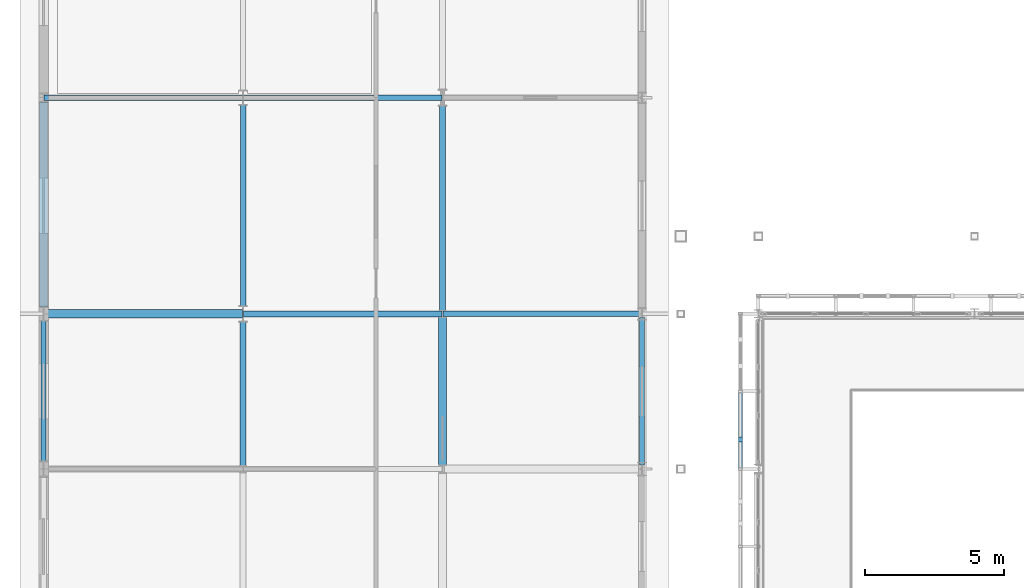
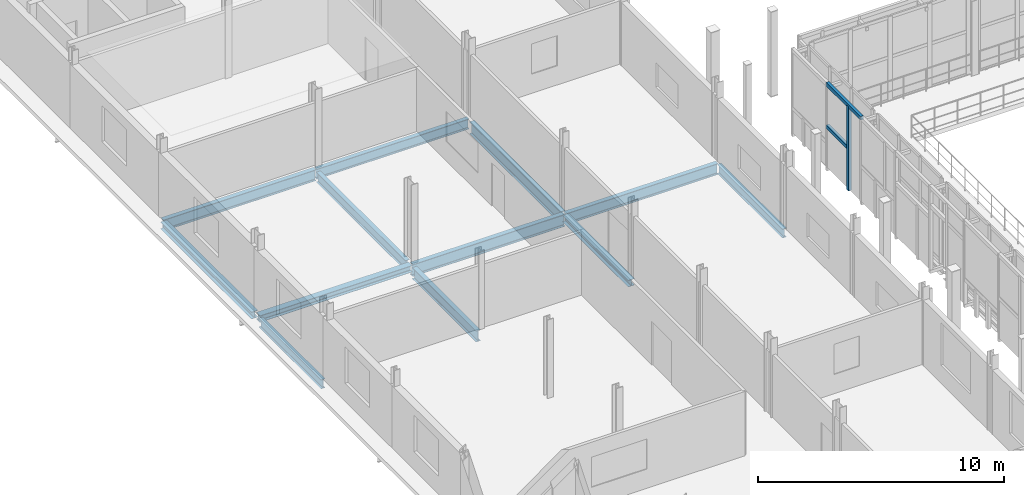
# One storey, part 30 of 78: 12 beams, 3 members.
"""IFC4 building model written with IfcOpenShell, lengths in metres."""

from ifc_helpers import new_model, si_unit, direction, frame, origin, origin_2d, place, context, subcontext, project, spatial, rectangle, i_section, extrude, material, material_profile, profile_set, type_object, element, save


model = new_model("IFC4")

# Units and contexts
model_context = context("Model", 3, precision=1e-05, world=origin(), true_north=direction((0.0, 1.0)))
body_context = subcontext(model_context, "Body", "Model", "MODEL_VIEW")
ifc_project = project(units=[si_unit("LENGTHUNIT", "METRE"), si_unit("AREAUNIT", "SQUARE_METRE"), si_unit("VOLUMEUNIT", "CUBIC_METRE"), si_unit("PLANEANGLEUNIT", "RADIAN"), si_unit("MASSUNIT", "GRAM", prefix="KILO")], contexts=[model_context])

# Site, building, storey
site_placement = place(None, origin())
site = spatial("IfcSite", under=ifc_project, at=site_placement, CompositionType="ELEMENT")
building_placement = place(site_placement, origin())
building = spatial("IfcBuilding", under=site, at=building_placement, Name="Vinh Khe Railworks Police Headquarters", CompositionType="ELEMENT")
storey_placement = place(building_placement, frame((0.0, 0.0, 13.199951171875)))
storey = spatial("IfcBuildingStorey", under=building, at=storey_placement, Name="L03", CompositionType="ELEMENT", Elevation=13.199951171875)

# Members
ifc_material_1 = material(Name="Salvaged ironwood timber", Category="wood")
ifc_material_profile_1 = material_profile(ifc_material_1, rectangle(XDim=0.139892578125, YDim=0.179931640625, at=origin_2d()), Name="TIMBER 140x180")
ifc_profile_set_1 = profile_set([ifc_material_profile_1], Name="Salvaged ironwood timber")
member_type = type_object("IfcMemberType", Name="MEM-QUILT-STILE", PredefinedType="CHORD", material=ifc_profile_set_1)
member_1_placement = place(storey_placement, frame((25.75, 53.199951171875, 4.1201171875), z_axis=(0.0, 1.0, 0.0), x_axis=(-1.0, 0.0, 0.0)))
element("IfcMember", 1, at=member_1_placement, inside=storey, type_object=member_type, Name="Salvaged Timber Quilt Transom W-L03-10-TOP", PredefinedType="CHORD", context=body_context, shape_type="SweptSolid", body=[
    extrude(rectangle(XDim=0.139892578125, YDim=0.179931640625, at=origin_2d()), origin(), (0.0, 0.0, 1.0), 2.800048828125),
])
member_2_placement = place(storey_placement, frame((25.75, 54.263916015625, -0.079833984375), z_axis=(0.0, 0.0, 1.0), x_axis=(1.0, 0.0, 0.0)))
element("IfcMember", 2, at=member_2_placement, inside=storey, type_object=member_type, Name="Salvaged Timber Quilt Stile W-L03-10-V1", PredefinedType="POST", context=body_context, shape_type="SweptSolid", body=[
    extrude(rectangle(XDim=0.139892578125, YDim=0.179931640625, at=origin_2d()), origin(), (0.0, 0.0, 1.0), 4.199951171875),
])
member_3_placement = place(storey_placement, frame((25.75, 54.263916015625, 2.01611328125), z_axis=(0.0, 1.0, 0.0), x_axis=(-1.0, 0.0, 0.0)))
element("IfcMember", 3, at=member_3_placement, inside=storey, type_object=member_type, Name="Salvaged Timber Quilt Transom W-L03-10-M1", PredefinedType="CHORD", context=body_context, shape_type="SweptSolid", body=[
    extrude(rectangle(XDim=0.139892578125, YDim=0.179931640625, at=origin_2d()), origin(), (0.0, 0.0, 1.0), 1.736083984375),
])

# Beams
ifc_material_2 = material(Name="Steel S355JR", Category="steel")
ifc_material_profile_2 = material_profile(ifc_material_2, i_section(OverallWidth=0.300048828125, OverallDepth=0.330078125, WebThickness=0.009521484375, FlangeThickness=0.0166015625, FilletRadius=0.027099609375, at=origin_2d()), Name="HEA 340")
ifc_profile_set_2 = profile_set([ifc_material_profile_2], Name="Steel S355JR")
beam_type_1 = type_object("IfcBeamType", Name="Steel Girder HEA 340", PredefinedType="BEAM", material=ifc_profile_set_2)
beam_1_placement = place(storey_placement, frame((0.6201171875, 58.800048828125, -0.385009765625), z_axis=(1.0, 0.0, 0.0), x_axis=(0.0, 1.0, 0.0)))
element("IfcBeam", 4, at=beam_1_placement, inside=storey, type_object=beam_type_1, Name="Girder BM-L03-EW-SB-16-1058", PredefinedType="BEAM", context=body_context, shape_type="SweptSolid", body=[
    extrude(i_section(OverallWidth=0.300048828125, OverallDepth=0.330078125, WebThickness=0.009521484375, FlangeThickness=0.0166015625, FilletRadius=0.027099609375, at=origin_2d()), origin(), (0.0, 0.0, 1.0), 7.159912109375),
])
beam_2_placement = place(storey_placement, frame((15.0, 53.3349609375, -0.385009765625), z_axis=(0.0, 1.0, 0.0), x_axis=(-1.0, 0.0, 0.0)))
element("IfcBeam", 5, at=beam_2_placement, inside=storey, type_object=beam_type_1, Name="Girder BM-L03-NS-SB-16-1184", PredefinedType="BEAM", context=body_context, shape_type="SweptSolid", body=[
    extrude(i_section(OverallWidth=0.300048828125, OverallDepth=0.330078125, WebThickness=0.009521484375, FlangeThickness=0.0166015625, FilletRadius=0.027099609375, at=origin_2d()), origin(), (0.0, 0.0, 1.0), 5.340087890625),
])
ifc_material_profile_3 = material_profile(ifc_material_2, i_section(OverallWidth=0.300048828125, OverallDepth=0.35009765625, WebThickness=0.010009765625, FlangeThickness=0.017578125, FilletRadius=0.027099609375, at=origin_2d()), Name="HEA 360")
ifc_profile_set_3 = profile_set([ifc_material_profile_3], Name="Steel S355JR")
beam_type_2 = type_object("IfcBeamType", Name="Steel Girder HEA 360", PredefinedType="BEAM", material=ifc_profile_set_3)
beam_3_placement = place(storey_placement, frame((0.60009765625, 59.054931640625, -0.39501953125), z_axis=(0.0, 1.0, 0.0), x_axis=(-1.0, 0.0, 0.0)))
element("IfcBeam", 6, at=beam_3_placement, inside=storey, type_object=beam_type_2, Name="Girder BM-L03-NS-SB-15-1153", PredefinedType="BEAM", context=body_context, shape_type="SweptSolid", body=[
    extrude(i_section(OverallWidth=0.300048828125, OverallDepth=0.35009765625, WebThickness=0.010009765625, FlangeThickness=0.017578125, FilletRadius=0.027099609375, at=origin_2d()), origin(), (0.0, 0.0, 1.0), 7.39501953125),
])
ifc_material_profile_4 = material_profile(ifc_material_2, i_section(OverallWidth=0.18994140625, OverallDepth=0.449951171875, WebThickness=0.009521484375, FlangeThickness=0.0146484375, FilletRadius=0.02099609375, at=origin_2d()), Name="IPE 450")
ifc_profile_set_4 = profile_set([ifc_material_profile_4], Name="Steel S355JR")
beam_type_3 = type_object("IfcBeamType", Name="Steel Girder IPE 450", PredefinedType="BEAM", material=ifc_profile_set_4)
beam_4_placement = place(storey_placement, frame((0.60009765625, 53.47998046875, -0.445068359375), z_axis=(0.0, 1.0, 0.0), x_axis=(-1.0, 0.0, 0.0)))
element("IfcBeam", 7, at=beam_4_placement, inside=storey, type_object=beam_type_3, Name="Girder BM-L03-NS-SB-20-1152", PredefinedType="BEAM", context=body_context, shape_type="SweptSolid", body=[
    extrude(i_section(OverallWidth=0.18994140625, OverallDepth=0.449951171875, WebThickness=0.009521484375, FlangeThickness=0.0146484375, FilletRadius=0.02099609375, at=origin_2d()), origin(), (0.0, 0.0, 1.0), 5.06494140625),
])
beam_5_placement = place(storey_placement, frame((22.199951171875, 53.35009765625, -0.445068359375), z_axis=(0.0, 1.0, 0.0), x_axis=(-1.0, 0.0, 0.0)))
element("IfcBeam", 8, at=beam_5_placement, inside=storey, type_object=beam_type_3, Name="Girder BM-L03-NS-SB-20-1200", PredefinedType="BEAM", context=body_context, shape_type="SweptSolid", body=[
    extrude(i_section(OverallWidth=0.18994140625, OverallDepth=0.449951171875, WebThickness=0.009521484375, FlangeThickness=0.0146484375, FilletRadius=0.02099609375, at=origin_2d()), origin(), (0.0, 0.0, 1.0), 5.31494140625),
])
ifc_material_profile_5 = material_profile(ifc_material_2, i_section(OverallWidth=0.199951171875, OverallDepth=0.5, WebThickness=0.01025390625, FlangeThickness=0.01611328125, FilletRadius=0.02099609375, at=origin_2d()), Name="IPE 500")
ifc_profile_set_5 = profile_set([ifc_material_profile_5], Name="Steel S355JR")
beam_type_4 = type_object("IfcBeamType", Name="Steel Girder IPE 500", PredefinedType="BEAM", material=ifc_profile_set_5)
beam_6_placement = place(storey_placement, frame((7.820068359375, 66.60009765625, -0.469970703125), z_axis=(1.0, 0.0, 0.0), x_axis=(0.0, 1.0, 0.0)))
element("IfcBeam", 9, at=beam_6_placement, inside=storey, type_object=beam_type_4, Name="Girder BM-L03-EW-SB-19-1067", PredefinedType="BEAM", context=body_context, shape_type="SweptSolid", body=[
    extrude(i_section(OverallWidth=0.199951171875, OverallDepth=0.5, WebThickness=0.01025390625, FlangeThickness=0.01611328125, FilletRadius=0.02099609375, at=origin_2d()), origin(), (0.0, 0.0, 1.0), 7.159912109375),
])
beam_7_placement = place(storey_placement, frame((7.800048828125, 59.080078125, -0.469970703125), z_axis=(0.0, 1.0, 0.0), x_axis=(-1.0, 0.0, 0.0)))
element("IfcBeam", 10, at=beam_7_placement, inside=storey, type_object=beam_type_4, Name="Girder BM-L03-NS-SB-19-1169", PredefinedType="BEAM", context=body_context, shape_type="SweptSolid", body=[
    extrude(i_section(OverallWidth=0.199951171875, OverallDepth=0.5, WebThickness=0.01025390625, FlangeThickness=0.01611328125, FilletRadius=0.02099609375, at=origin_2d()), origin(), (0.0, 0.0, 1.0), 7.264892578125),
])
ifc_material_profile_6 = material_profile(ifc_material_2, i_section(OverallWidth=0.2099609375, OverallDepth=0.550048828125, WebThickness=0.010986328125, FlangeThickness=0.01708984375, FilletRadius=0.02392578125, at=origin_2d()), Name="IPE 550")
ifc_profile_set_6 = profile_set([ifc_material_profile_6], Name="Steel S355JR")
beam_type_5 = type_object("IfcBeamType", Name="Steel Girder IPE 550", PredefinedType="BEAM", material=ifc_profile_set_6)
for number, where, z_axis, x_axis, name in (
    (11, (15.02001953125, 58.800048828125, -0.494873046875), (1.0, 0.0, 0.0), (0.0, 1.0, 0.0), "Girder BM-L03-EW-SB-18-1060"),
    (12, (0.6201171875, 66.60009765625, -0.494873046875), (1.0, 0.0, 0.0), (0.0, 1.0, 0.0), "Girder BM-L03-EW-SB-18-1066"),
):
    element("IfcBeam", number, at=place(storey_placement, frame(where, z_axis=z_axis, x_axis=x_axis)), inside=storey, type_object=beam_type_5, Name=name, PredefinedType="BEAM", context=body_context, shape_type="SweptSolid", body=[
        extrude(i_section(OverallWidth=0.2099609375, OverallDepth=0.550048828125, WebThickness=0.010986328125, FlangeThickness=0.01708984375, FilletRadius=0.02392578125, at=origin_2d()), origin(), (0.0, 0.0, 1.0), 7.159912109375),
    ])
beam_8_placement = place(storey_placement, frame((7.800048828125, 53.324951171875, -0.494873046875), z_axis=(0.0, 1.0, 0.0), x_axis=(-1.0, 0.0, 0.0)))
element("IfcBeam", 13, at=beam_8_placement, inside=storey, type_object=beam_type_5, Name="Girder BM-L03-NS-SB-18-1168", PredefinedType="BEAM", context=body_context, shape_type="SweptSolid", body=[
    extrude(i_section(OverallWidth=0.2099609375, OverallDepth=0.550048828125, WebThickness=0.010986328125, FlangeThickness=0.01708984375, FilletRadius=0.02392578125, at=origin_2d()), origin(), (0.0, 0.0, 1.0), 5.195068359375),
])
ifc_material_profile_7 = material_profile(ifc_material_2, i_section(OverallWidth=0.219970703125, OverallDepth=0.60009765625, WebThickness=0.011962890625, FlangeThickness=0.01904296875, FilletRadius=0.02392578125, at=origin_2d()), Name="IPE 600")
ifc_profile_set_7 = profile_set([ifc_material_profile_7], Name="Steel S355JR")
beam_type_6 = type_object("IfcBeamType", Name="Steel Girder IPE 600", PredefinedType="BEAM", material=ifc_profile_set_7)
beam_9_placement = place(storey_placement, frame((7.820068359375, 58.800048828125, -0.52001953125), z_axis=(1.0, 0.0, 0.0), x_axis=(0.0, 1.0, 0.0)))
element("IfcBeam", 14, at=beam_9_placement, inside=storey, type_object=beam_type_6, Name="Girder BM-L03-EW-SB-17-1059", PredefinedType="BEAM", context=body_context, shape_type="SweptSolid", body=[
    extrude(i_section(OverallWidth=0.219970703125, OverallDepth=0.60009765625, WebThickness=0.011962890625, FlangeThickness=0.01904296875, FilletRadius=0.02392578125, at=origin_2d()), origin(), (0.0, 0.0, 1.0), 7.159912109375),
])
beam_10_placement = place(storey_placement, frame((15.0, 58.925048828125, -0.52001953125), z_axis=(0.0, 1.0, 0.0), x_axis=(-1.0, 0.0, 0.0)))
element("IfcBeam", 15, at=beam_10_placement, inside=storey, type_object=beam_type_6, Name="Girder BM-L03-NS-SB-17-1185", PredefinedType="BEAM", context=body_context, shape_type="SweptSolid", body=[
    extrude(i_section(OverallWidth=0.219970703125, OverallDepth=0.60009765625, WebThickness=0.011962890625, FlangeThickness=0.01904296875, FilletRadius=0.02392578125, at=origin_2d()), origin(), (0.0, 0.0, 1.0), 7.39501953125),
])

save(model, "model.ifc")
